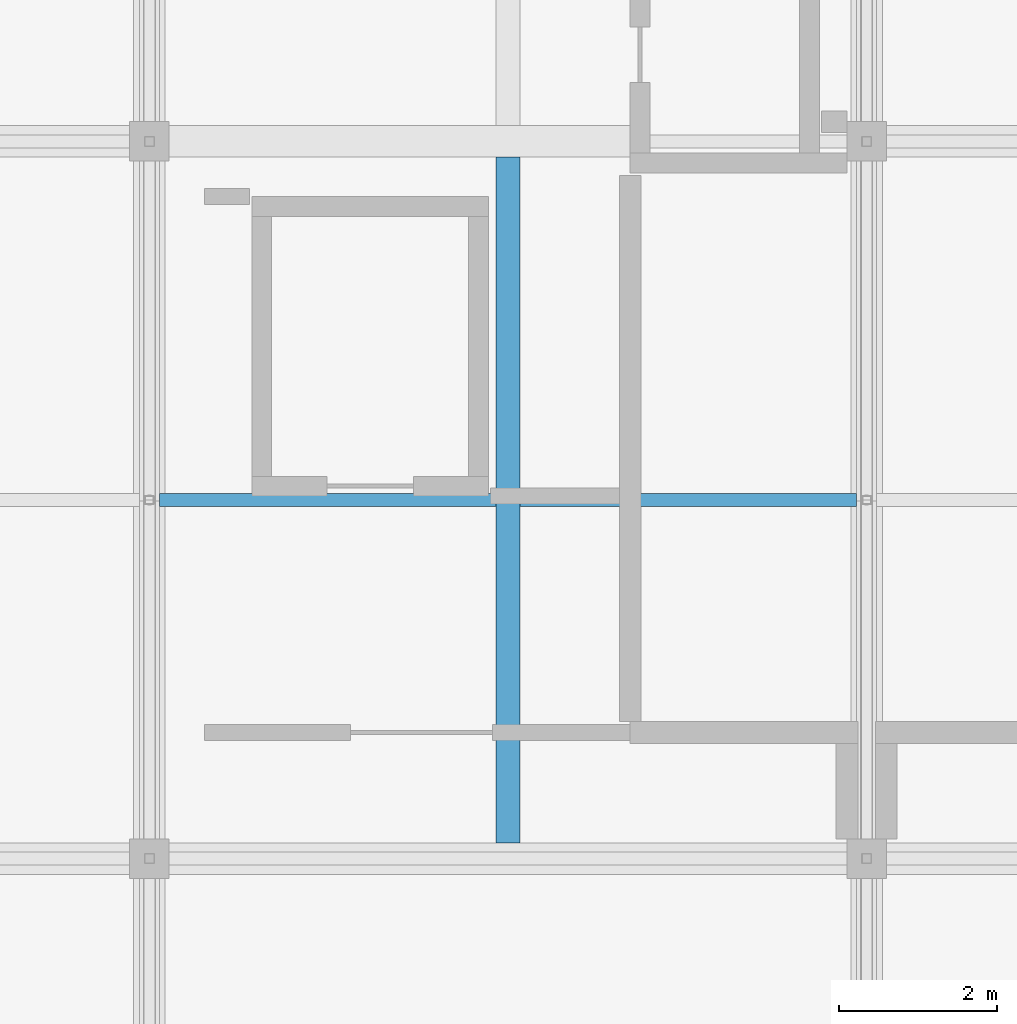
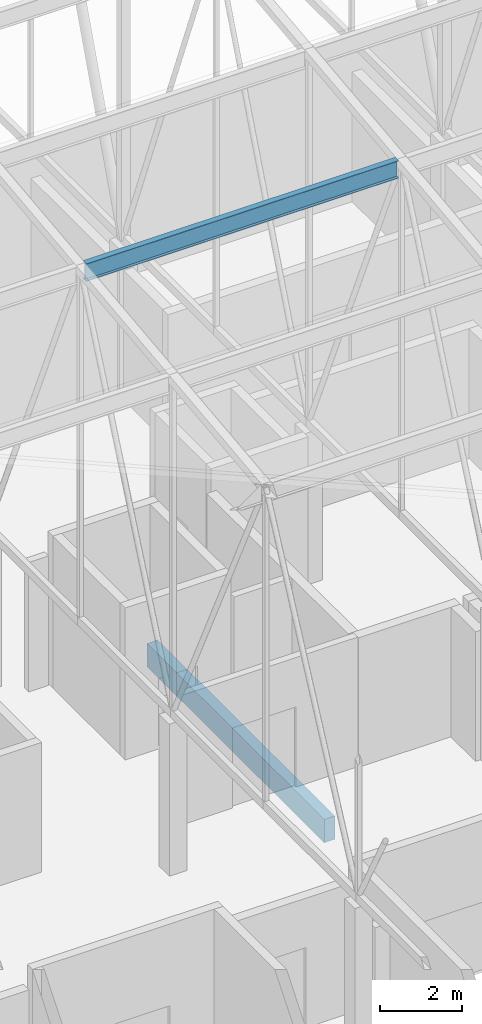
# One storey, part 27 of 500: 1 beam, 1 member.
"""IFC4 building model written with IfcOpenShell, lengths in metres."""

from ifc_helpers import new_model, si_unit, direction, frame, origin, origin_2d, place, context, subcontext, project, spatial, rectangle, i_section, extrude, material, material_profile, profile_set, type_object, element, save


model = new_model("IFC4")

# Units and contexts
model_context = context("Model", 3, precision=1e-05, world=origin(), true_north=direction((0.0, 1.0)))
body_context = subcontext(model_context, "Body", "Model", "MODEL_VIEW")
ifc_project = project(units=[si_unit("LENGTHUNIT", "METRE"), si_unit("AREAUNIT", "SQUARE_METRE"), si_unit("VOLUMEUNIT", "CUBIC_METRE"), si_unit("PLANEANGLEUNIT", "RADIAN"), si_unit("MASSUNIT", "GRAM", prefix="KILO")], contexts=[model_context])

# Site, building, storey
site_placement = place(None, origin())
site = spatial("IfcSite", under=ifc_project, at=site_placement, CompositionType="ELEMENT")
building_placement = place(site_placement, origin())
building = spatial("IfcBuilding", under=site, at=building_placement, Name="Shirokan Park Arena", CompositionType="ELEMENT")
storey_placement = place(building_placement, frame((0.0, 0.0, 29.1201171875)))
storey = spatial("IfcBuildingStorey", under=building, at=storey_placement, Name="L06", CompositionType="ELEMENT", Elevation=29.1201171875)

# Member
ifc_material_1 = material(Name="Steel ASTM A992", Category="steel")
ifc_material_profile_1 = material_profile(ifc_material_1, i_section(OverallWidth=0.166015625, OverallDepth=0.528076171875, WebThickness=0.009765625, FlangeThickness=0.013671875, at=origin_2d()), Name="W530X74")
ifc_profile_set_1 = profile_set([ifc_material_profile_1], Name="Steel ASTM A992")
member_type = type_object("IfcMemberType", Name="Purlin W530X74", PredefinedType="PURLIN", material=ifc_profile_set_1)
member_placement = place(storey_placement, frame((18.326904296875, 22.75, 15.0859375), z_axis=(1.0, 0.0, 0.0), x_axis=(0.0, 1.0, 0.0)))
element("IfcMember", 1, at=member_placement, inside=storey, type_object=member_type, Name="Purlin 8 bay 3", PredefinedType="PURLIN", context=body_context, shape_type="SweptSolid", body=[
    extrude(i_section(OverallWidth=0.166015625, OverallDepth=0.528076171875, WebThickness=0.009765625, FlangeThickness=0.013671875, at=origin_2d()), origin(), (0.0, 0.0, 1.0), 8.84619140625),
])

# Beam
ifc_material_2 = material(Name="Concrete C35", Category="concrete")
ifc_material_profile_2 = material_profile(ifc_material_2, rectangle(XDim=0.300048828125, YDim=0.699951171875, at=origin_2d()), Name="300x700")
ifc_profile_set_2 = profile_set([ifc_material_profile_2], Name="Concrete C35")
beam_type = type_object("IfcBeamType", Name="RC joist 300x700", PredefinedType="JOIST", material=ifc_profile_set_2)
beam_placement = place(storey_placement, frame((22.75, 18.39990234375, -0.550048828125), z_axis=(0.0, 1.0, 0.0), x_axis=(-1.0, 0.0, 0.0)))
element("IfcBeam", 2, at=beam_placement, inside=storey, type_object=beam_type, Name="Joist 3C L06", PredefinedType="JOIST", context=body_context, shape_type="SweptSolid", body=[
    extrude(rectangle(XDim=0.300048828125, YDim=0.699951171875, at=origin_2d()), origin(), (0.0, 0.0, 1.0), 8.7001953125),
])

save(model, "model.ifc")
